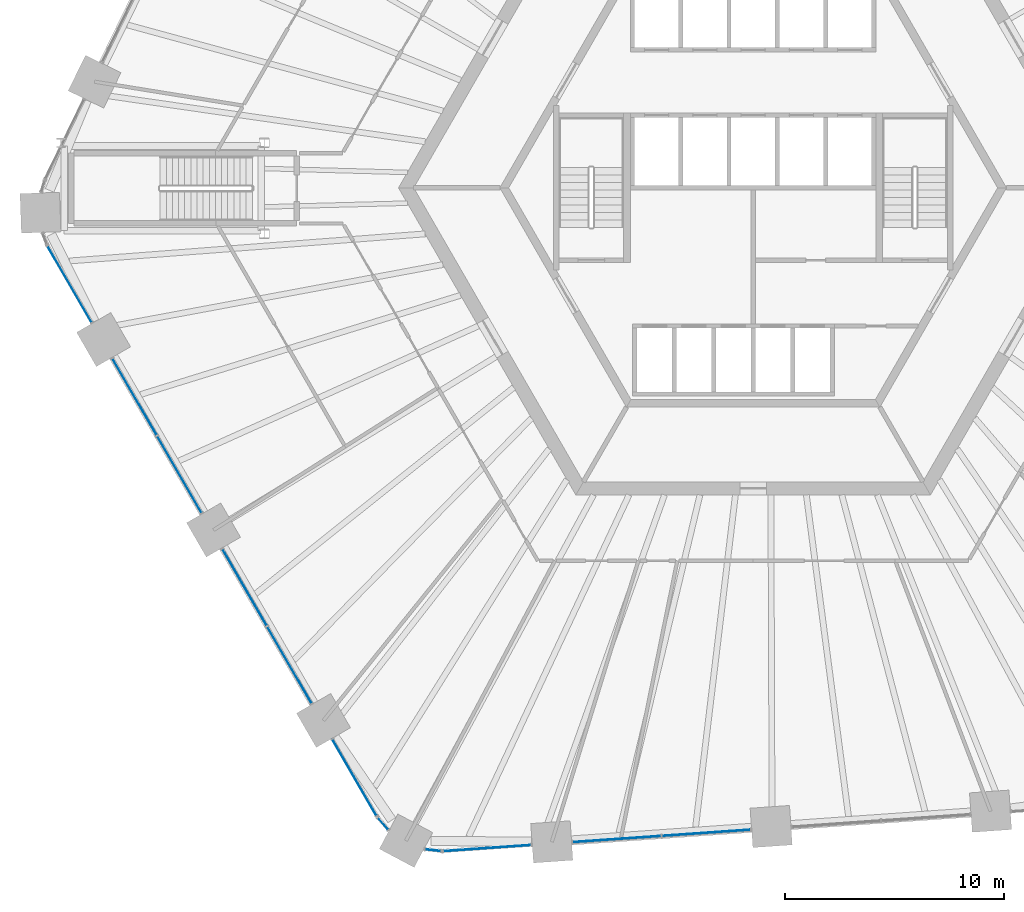
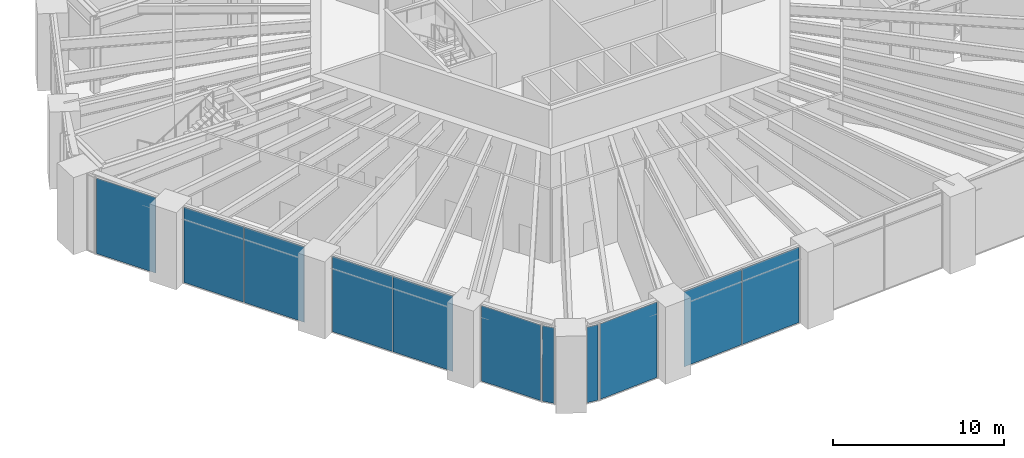
# One storey, part 14 of 30: 11 plates, 8 elements without a shape of their own.
"""IFC4 building model written with IfcOpenShell, lengths in metres."""

from ifc_helpers import new_model, si_unit, direction, frame, origin, origin_2d, place, context, subcontext, project, spatial, rectangle, extrude, material, layer, layer_set, type_object, element, aggregate, save


model = new_model("IFC4")

# Units and contexts
model_context = context("Model", 3, precision=1e-05, world=origin(), true_north=direction((0.0, 1.0)))
body_context = subcontext(model_context, "Body", "Model", "MODEL_VIEW")
ifc_project = project(units=[si_unit("LENGTHUNIT", "METRE"), si_unit("AREAUNIT", "SQUARE_METRE"), si_unit("VOLUMEUNIT", "CUBIC_METRE"), si_unit("PLANEANGLEUNIT", "RADIAN"), si_unit("MASSUNIT", "GRAM", prefix="KILO")], contexts=[model_context])

# Site, building, storey
site_placement = place(None, origin())
site = spatial("IfcSite", under=ifc_project, at=site_placement, CompositionType="ELEMENT")
building_placement = place(site_placement, origin())
building = spatial("IfcBuilding", under=site, at=building_placement, Name="Tarnside Tower", CompositionType="ELEMENT")
storey_placement = place(building_placement, frame((0.0, 0.0, 20.5)))
storey = spatial("IfcBuildingStorey", under=building, at=storey_placement, Name="L03", CompositionType="ELEMENT", Elevation=20.5)

# Curtain wall, plate
ifc_material_1 = material(Name="Retail shopfront glazing wall", Category="glass")
curtain_wall_type = type_object("IfcCurtainWallType", Name="Retail shopfront glazing wall", PredefinedType="NOTDEFINED", material=ifc_material_1)
curtain_wall_1_placement = place(storey_placement, origin())
curtain_wall_1 = element("IfcCurtainWall", 1, at=curtain_wall_1_placement, inside=storey, type_object=curtain_wall_type, Name="Retail shopfront glazing L03 07.1", PredefinedType="NOTDEFINED")
ifc_material_2 = material(Name="Low-iron safety glass", Category="glass")
ifc_layer = layer(ifc_material_2, 0.028076171875)
ifc_layer_set = layer_set([ifc_layer], Name="Retail shopfront glazing panel 28")
plate_type = type_object("IfcPlateType", Name="Retail shopfront glazing panel 28", PredefinedType="CURTAIN_PANEL", material=ifc_layer_set)
plate_1_placement = place(storey_placement, frame((-31.15478515625, -4.398193359375, -0.18994140625), z_axis=(0.0, 0.0, 1.0), x_axis=(0.50000000003, -0.866025403767, 0.0)))
plate_1 = element("IfcPlate", 2, at=plate_1_placement, type_object=plate_type, Name="CW2 panel 1.1", PredefinedType="CURTAIN_PANEL", context=body_context, shape_type="SweptSolid", body=[
    extrude(rectangle(XDim=3.991943359375, YDim=0.028076171875, at=origin_2d()), origin(), (0.0, 0.0, 1.0), 5.3798828125),
])
aggregate(curtain_wall_1, [plate_1])

# Curtain wall, plates
curtain_wall_2_placement = place(storey_placement, origin())
curtain_wall_2 = element("IfcCurtainWall", 3, at=curtain_wall_2_placement, inside=storey, type_object=curtain_wall_type, Name="Retail shopfront glazing L03 08.0", PredefinedType="NOTDEFINED")
plate_2_placement = place(storey_placement, frame((-28.19140625, -9.531005859375, -0.18994140625), z_axis=(0.0, 0.0, 1.0), x_axis=(0.49999999994, -0.866025403819, 0.0)))
plate_2 = element("IfcPlate", 4, at=plate_2_placement, type_object=plate_type, Name="CW2 panel 1.1", PredefinedType="CURTAIN_PANEL", context=body_context, shape_type="SweptSolid", body=[
    extrude(rectangle(XDim=4.021728515625, YDim=0.028076171875, at=origin_2d()), origin(), (0.0, 0.0, 1.0), 5.3798828125),
])
plate_3_placement = place(storey_placement, frame((-26.150634765625, -13.06591796875, -0.18994140625), z_axis=(0.0, 0.0, 1.0), x_axis=(0.49999999994, -0.866025403819, 0.0)))
plate_3 = element("IfcPlate", 5, at=plate_3_placement, type_object=plate_type, Name="CW2 panel 2.1", PredefinedType="CURTAIN_PANEL", context=body_context, shape_type="SweptSolid", body=[
    extrude(rectangle(XDim=4.021728515625, YDim=0.028076171875, at=origin_2d()), origin(), (0.0, 0.0, 1.0), 5.3798828125),
])
aggregate(curtain_wall_2, [plate_2, plate_3])

curtain_wall_3_placement = place(storey_placement, origin())
curtain_wall_3 = element("IfcCurtainWall", 6, at=curtain_wall_3_placement, inside=storey, type_object=curtain_wall_type, Name="Retail shopfront glazing L03 09.0", PredefinedType="NOTDEFINED")
plate_4_placement = place(storey_placement, frame((-23.1796875, -18.211669921875, -0.18994140625), z_axis=(0.0, 0.0, 1.0), x_axis=(0.500000000076, -0.866025403741, 0.0)))
plate_4 = element("IfcPlate", 7, at=plate_4_placement, type_object=plate_type, Name="CW2 panel 1.1", PredefinedType="CURTAIN_PANEL", context=body_context, shape_type="SweptSolid", body=[
    extrude(rectangle(XDim=4.021728515625, YDim=0.028076171875, at=origin_2d()), origin(), (0.0, 0.0, 1.0), 5.3798828125),
])
plate_5_placement = place(storey_placement, frame((-21.138671875, -21.74658203125, -0.18994140625), z_axis=(0.0, 0.0, 1.0), x_axis=(0.500000000076, -0.866025403741, 0.0)))
plate_5 = element("IfcPlate", 8, at=plate_5_placement, type_object=plate_type, Name="CW2 panel 2.1", PredefinedType="CURTAIN_PANEL", context=body_context, shape_type="SweptSolid", body=[
    extrude(rectangle(XDim=4.021728515625, YDim=0.028076171875, at=origin_2d()), origin(), (0.0, 0.0, 1.0), 5.3798828125),
])
aggregate(curtain_wall_3, [plate_4, plate_5])

# Curtain wall, plate
curtain_wall_4_placement = place(storey_placement, origin())
curtain_wall_4 = element("IfcCurtainWall", 9, at=curtain_wall_4_placement, inside=storey, type_object=curtain_wall_type, Name="Retail shopfront glazing L03 10.0", PredefinedType="NOTDEFINED")
plate_6_placement = place(storey_placement, frame((-18.17529296875, -26.87939453125, -0.18994140625), z_axis=(0.0, 0.0, 1.0), x_axis=(0.499999999849, -0.866025403872, 0.0)))
plate_6 = element("IfcPlate", 10, at=plate_6_placement, type_object=plate_type, Name="CW2 panel 1.1", PredefinedType="CURTAIN_PANEL", context=body_context, shape_type="SweptSolid", body=[
    extrude(rectangle(XDim=3.991943359375, YDim=0.028076171875, at=origin_2d()), origin(), (0.0, 0.0, 1.0), 5.3798828125),
])
aggregate(curtain_wall_4, [plate_6])

curtain_wall_5_placement = place(storey_placement, origin())
curtain_wall_5 = element("IfcCurtainWall", 11, at=curtain_wall_5_placement, inside=storey, type_object=curtain_wall_type, Name="Retail shopfront glazing L03 10.1", PredefinedType="NOTDEFINED")
plate_7_placement = place(storey_placement, frame((-16.87109375, -28.983642578125, -0.18994140625), z_axis=(0.0, 0.0, 1.0), x_axis=(0.651657228826, -0.758513583345, 0.0)))
plate_7 = element("IfcPlate", 12, at=plate_7_placement, type_object=plate_type, Name="CW2 panel 1.1", PredefinedType="CURTAIN_PANEL", context=body_context, shape_type="SweptSolid", body=[
    extrude(rectangle(XDim=0.701416015625, YDim=0.028076171875, at=origin_2d()), origin(), (0.0, 0.0, 1.0), 5.3798828125),
])
aggregate(curtain_wall_5, [plate_7])

curtain_wall_6_placement = place(storey_placement, origin())
curtain_wall_6 = element("IfcCurtainWall", 13, at=curtain_wall_6_placement, inside=storey, type_object=curtain_wall_type, Name="Retail shopfront glazing L03 11.0", PredefinedType="NOTDEFINED")
plate_8_placement = place(storey_placement, frame((-14.59423828125, -30.194091796875, -0.18994140625), z_axis=(0.0, 0.0, 1.0), x_axis=(0.993238357751, -0.116092914044, 0.0)))
plate_8 = element("IfcPlate", 14, at=plate_8_placement, type_object=plate_type, Name="CW2 panel 1.1", PredefinedType="CURTAIN_PANEL", context=body_context, shape_type="SweptSolid", body=[
    extrude(rectangle(XDim=0.701416015625, YDim=0.028076171875, at=origin_2d()), origin(), (0.0, 0.0, 1.0), 5.3798828125),
])
aggregate(curtain_wall_6, [plate_8])

curtain_wall_7_placement = place(storey_placement, origin())
curtain_wall_7 = element("IfcCurtainWall", 15, at=curtain_wall_7_placement, inside=storey, type_object=curtain_wall_type, Name="Retail shopfront glazing L03 11.1", PredefinedType="NOTDEFINED")
plate_9_placement = place(storey_placement, frame((-12.12060546875, -30.098876953125, -0.18994140625), z_axis=(0.0, 0.0, 1.0), x_axis=(0.997564050248, 0.069756473918, 0.0)))
plate_9 = element("IfcPlate", 16, at=plate_9_placement, type_object=plate_type, Name="CW2 panel 1.1", PredefinedType="CURTAIN_PANEL", context=body_context, shape_type="SweptSolid", body=[
    extrude(rectangle(XDim=3.991943359375, YDim=0.028076171875, at=origin_2d()), origin(), (0.0, 0.0, 1.0), 5.3798828125),
])
aggregate(curtain_wall_7, [plate_9])

# Curtain wall, plates
curtain_wall_8_placement = place(storey_placement, origin())
curtain_wall_8 = element("IfcCurtainWall", 17, at=curtain_wall_8_placement, inside=storey, type_object=curtain_wall_type, Name="Retail shopfront glazing L03 12.0", PredefinedType="NOTDEFINED")
plate_10_placement = place(storey_placement, frame((-6.208251953125, -29.685302734375, -0.18994140625), z_axis=(0.0, 0.0, 1.0), x_axis=(0.997564050257, 0.069756473779, 0.0)))
plate_10 = element("IfcPlate", 18, at=plate_10_placement, type_object=plate_type, Name="CW2 panel 1.1", PredefinedType="CURTAIN_PANEL", context=body_context, shape_type="SweptSolid", body=[
    extrude(rectangle(XDim=4.021728515625, YDim=0.028076171875, at=origin_2d()), origin(), (0.0, 0.0, 1.0), 5.3798828125),
])
plate_11_placement = place(storey_placement, frame((-2.13623046875, -29.400634765625, -0.18994140625), z_axis=(0.0, 0.0, 1.0), x_axis=(0.997564050257, 0.069756473779, 0.0)))
plate_11 = element("IfcPlate", 19, at=plate_11_placement, type_object=plate_type, Name="CW2 panel 2.1", PredefinedType="CURTAIN_PANEL", context=body_context, shape_type="SweptSolid", body=[
    extrude(rectangle(XDim=4.021728515625, YDim=0.028076171875, at=origin_2d()), origin(), (0.0, 0.0, 1.0), 5.3798828125),
])
aggregate(curtain_wall_8, [plate_10, plate_11])

save(model, "model.ifc")
